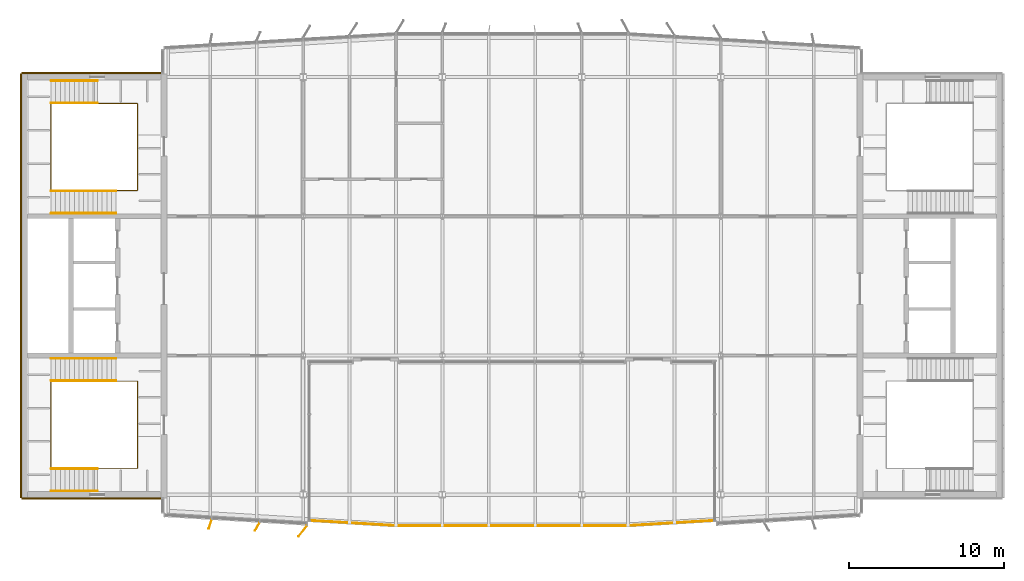
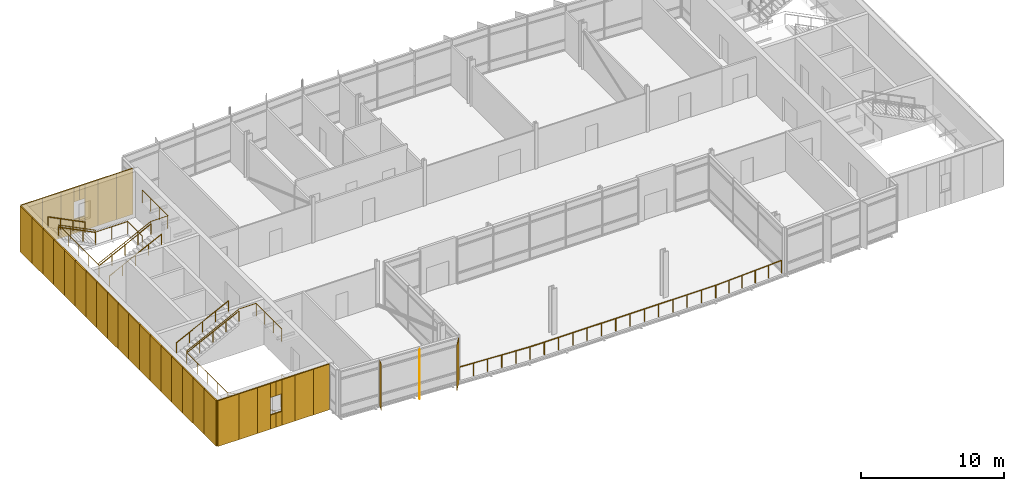
# One storey, part 16 of 19: 38 coverings, 11 railings, 3 shading devices.
"""IFC4 building model written with IfcOpenShell, lengths in metres."""

from ifc_helpers import new_model, si_unit, direction, frame, origin, origin_2d, place, context, subcontext, project, spatial, rectangle, circle, extrude, material, layer, layer_set, type_object, element, save


model = new_model("IFC4")

# Units and contexts
model_context = context("Model", 3, precision=1e-05, world=origin(), true_north=direction((0.0, 1.0)))
body_context = subcontext(model_context, "Body", "Model", "MODEL_VIEW")
ifc_project = project(units=[si_unit("LENGTHUNIT", "METRE"), si_unit("AREAUNIT", "SQUARE_METRE"), si_unit("VOLUMEUNIT", "CUBIC_METRE"), si_unit("PLANEANGLEUNIT", "RADIAN"), si_unit("MASSUNIT", "GRAM", prefix="KILO")], contexts=[model_context])

# Site, building, storey
site_placement = place(None, origin())
site = spatial("IfcSite", under=ifc_project, at=site_placement, CompositionType="ELEMENT")
building_placement = place(site_placement, origin())
building = spatial("IfcBuilding", under=site, at=building_placement, Name="Azimuth Sports and Learning Centre", CompositionType="ELEMENT")
storey_placement = place(building_placement, frame((0.0, 0.0, 67.5)))
storey = spatial("IfcBuildingStorey", under=building, at=storey_placement, Name="L15", CompositionType="ELEMENT", Elevation=67.5)

# Coverings
ifc_material_1 = material(Name="Cladding panel")
ifc_layer_1 = layer(ifc_material_1, 0.10009765625)
ifc_layer_set_1 = layer_set([ifc_layer_1], Name="Cladding panel")
covering_type = type_object("IfcCoveringType", Name="Cladding panel 100", PredefinedType="CLADDING", material=ifc_layer_set_1)
covering_1_placement = place(storey_placement, frame((54.64990234375, 89.75, 0.0), z_axis=(0.0, 0.0, 1.0), x_axis=(1.0, 0.0, 0.0)))
element("IfcCovering", 1, at=covering_1_placement, inside=storey, type_object=covering_type, Name="Cladding panel S-CORE W L15 1", PredefinedType="CLADDING", context=body_context, shape_type="SweptSolid", body=[
    extrude(rectangle(XDim=1.699951171875, YDim=0.10009765625, at=origin_2d()), origin(), (0.0, 0.0, 1.0), 3.89990234375),
])
covering_2_placement = place(storey_placement, frame((56.25, 89.75, 0.0), z_axis=(0.0, 0.0, 1.0), x_axis=(1.0, 0.0, 0.0)))
element("IfcCovering", 2, at=covering_2_placement, inside=storey, type_object=covering_type, Name="Cladding panel S-CORE W L15 2", PredefinedType="CLADDING", context=body_context, shape_type="SweptSolid", body=[
    extrude(rectangle(XDim=1.5, YDim=0.10009765625, at=origin_2d()), origin(), (0.0, 0.0, 1.0), 3.89990234375),
])
covering_3_placement = place(storey_placement, frame((57.52490234375, 89.75, 0.0), z_axis=(0.0, 0.0, 1.0), x_axis=(1.0, 0.0, 0.0)))
element("IfcCovering", 3, at=covering_3_placement, inside=storey, type_object=covering_type, Name="Cladding panel S-CORE W L15 3", PredefinedType="CLADDING", context=body_context, shape_type="SweptSolid", body=[
    extrude(rectangle(XDim=1.050048828125, YDim=0.10009765625, at=origin_2d()), origin(), (0.0, 0.0, 1.0), 3.89990234375),
])
for number, where, z_axis, x_axis, name in (
    (4, (58.27490234375, 89.75, 0.0), (0.0, 0.0, 1.0), (1.0, 0.0, 0.0), "Cladding panel S-CORE W L15 4"),
    (5, (58.27490234375, 89.75, 2.7001953125), (0.0, 0.0, 1.0), (1.0, 0.0, 0.0), "Cladding panel S-CORE W L15 5"),
):
    element("IfcCovering", number, at=place(storey_placement, frame(where, z_axis=z_axis, x_axis=x_axis)), inside=storey, type_object=covering_type, Name=name, PredefinedType="CLADDING", context=body_context, shape_type="SweptSolid", body=[
        extrude(rectangle(XDim=0.449951171875, YDim=0.10009765625, at=origin_2d()), origin(), (0.0, 0.0, 1.0), 1.199951171875),
    ])
covering_4_placement = place(storey_placement, frame((59.47509765625, 89.75, 0.0), z_axis=(0.0, 0.0, 1.0), x_axis=(1.0, 0.0, 0.0)))
element("IfcCovering", 6, at=covering_4_placement, inside=storey, type_object=covering_type, Name="Cladding panel S-CORE W L15 6", PredefinedType="CLADDING", context=body_context, shape_type="SweptSolid", body=[
    extrude(rectangle(XDim=1.050048828125, YDim=0.10009765625, at=origin_2d()), origin(), (0.0, 0.0, 1.0), 3.89990234375),
])
for number, where, z_axis, x_axis, name in (
    (7, (58.72509765625, 89.75, 0.0), (0.0, 0.0, 1.0), (1.0, 0.0, 0.0), "Cladding panel S-CORE W L15 7"),
    (8, (58.72509765625, 89.75, 2.7001953125), (0.0, 0.0, 1.0), (1.0, 0.0, 0.0), "Cladding panel S-CORE W L15 8"),
):
    element("IfcCovering", number, at=place(storey_placement, frame(where, z_axis=z_axis, x_axis=x_axis)), inside=storey, type_object=covering_type, Name=name, PredefinedType="CLADDING", context=body_context, shape_type="SweptSolid", body=[
        extrude(rectangle(XDim=0.449951171875, YDim=0.10009765625, at=origin_2d()), origin(), (0.0, 0.0, 1.0), 1.199951171875),
    ])
covering_5_placement = place(storey_placement, frame((60.75, 89.75, 0.0), z_axis=(0.0, 0.0, 1.0), x_axis=(1.0, 0.0, 0.0)))
element("IfcCovering", 9, at=covering_5_placement, inside=storey, type_object=covering_type, Name="Cladding panel S-CORE W L15 9", PredefinedType="CLADDING", context=body_context, shape_type="SweptSolid", body=[
    extrude(rectangle(XDim=1.5, YDim=0.10009765625, at=origin_2d()), origin(), (0.0, 0.0, 1.0), 3.89990234375),
])
for number, where, z_axis, x_axis, name in (
    (10, (62.159912109375, 89.75, 0.0), (0.0, 0.0, 1.0), (1.0, 0.0, 0.0), "Cladding panel S-CORE W L15 10"),
    (11, (62.159912109375, 117.25, 0.0), (0.0, 0.0, 1.0), (-1.0, 0.0, 0.0), "Cladding panel N-CORE W L15 1"),
):
    element("IfcCovering", number, at=place(storey_placement, frame(where, z_axis=z_axis, x_axis=x_axis)), inside=storey, type_object=covering_type, Name=name, PredefinedType="CLADDING", context=body_context, shape_type="SweptSolid", body=[
        extrude(rectangle(XDim=1.320068359375, YDim=0.10009765625, at=origin_2d()), origin(), (0.0, 0.0, 1.0), 3.89990234375),
    ])
covering_6_placement = place(storey_placement, frame((60.75, 117.25, 0.0), z_axis=(0.0, 0.0, 1.0), x_axis=(-1.0, 0.0, 0.0)))
element("IfcCovering", 12, at=covering_6_placement, inside=storey, type_object=covering_type, Name="Cladding panel N-CORE W L15 2", PredefinedType="CLADDING", context=body_context, shape_type="SweptSolid", body=[
    extrude(rectangle(XDim=1.5, YDim=0.10009765625, at=origin_2d()), origin(), (0.0, 0.0, 1.0), 3.89990234375),
])
covering_7_placement = place(storey_placement, frame((59.47509765625, 117.25, 0.0), z_axis=(0.0, 0.0, 1.0), x_axis=(-1.0, 0.0, 0.0)))
element("IfcCovering", 13, at=covering_7_placement, inside=storey, type_object=covering_type, Name="Cladding panel N-CORE W L15 3", PredefinedType="CLADDING", context=body_context, shape_type="SweptSolid", body=[
    extrude(rectangle(XDim=1.050048828125, YDim=0.10009765625, at=origin_2d()), origin(), (0.0, 0.0, 1.0), 3.89990234375),
])
for number, where, z_axis, x_axis, name in (
    (14, (58.72509765625, 117.25, 0.0), (0.0, 0.0, 1.0), (-1.0, 0.0, 0.0), "Cladding panel N-CORE W L15 4"),
    (15, (58.72509765625, 117.25, 2.7001953125), (0.0, 0.0, 1.0), (-1.0, 0.0, 0.0), "Cladding panel N-CORE W L15 5"),
):
    element("IfcCovering", number, at=place(storey_placement, frame(where, z_axis=z_axis, x_axis=x_axis)), inside=storey, type_object=covering_type, Name=name, PredefinedType="CLADDING", context=body_context, shape_type="SweptSolid", body=[
        extrude(rectangle(XDim=0.449951171875, YDim=0.10009765625, at=origin_2d()), origin(), (0.0, 0.0, 1.0), 1.199951171875),
    ])
covering_8_placement = place(storey_placement, frame((57.52490234375, 117.25, 0.0), z_axis=(0.0, 0.0, 1.0), x_axis=(-1.0, 0.0, 0.0)))
element("IfcCovering", 16, at=covering_8_placement, inside=storey, type_object=covering_type, Name="Cladding panel N-CORE W L15 6", PredefinedType="CLADDING", context=body_context, shape_type="SweptSolid", body=[
    extrude(rectangle(XDim=1.050048828125, YDim=0.10009765625, at=origin_2d()), origin(), (0.0, 0.0, 1.0), 3.89990234375),
])
for number, where, z_axis, x_axis, name in (
    (17, (58.27490234375, 117.25, 0.0), (0.0, 0.0, 1.0), (-1.0, 0.0, 0.0), "Cladding panel N-CORE W L15 7"),
    (18, (58.27490234375, 117.25, 2.7001953125), (0.0, 0.0, 1.0), (-1.0, 0.0, 0.0), "Cladding panel N-CORE W L15 8"),
):
    element("IfcCovering", number, at=place(storey_placement, frame(where, z_axis=z_axis, x_axis=x_axis)), inside=storey, type_object=covering_type, Name=name, PredefinedType="CLADDING", context=body_context, shape_type="SweptSolid", body=[
        extrude(rectangle(XDim=0.449951171875, YDim=0.10009765625, at=origin_2d()), origin(), (0.0, 0.0, 1.0), 1.199951171875),
    ])
covering_9_placement = place(storey_placement, frame((56.25, 117.25, 0.0), z_axis=(0.0, 0.0, 1.0), x_axis=(-1.0, 0.0, 0.0)))
element("IfcCovering", 19, at=covering_9_placement, inside=storey, type_object=covering_type, Name="Cladding panel N-CORE W L15 9", PredefinedType="CLADDING", context=body_context, shape_type="SweptSolid", body=[
    extrude(rectangle(XDim=1.5, YDim=0.10009765625, at=origin_2d()), origin(), (0.0, 0.0, 1.0), 3.89990234375),
])
for number, where, z_axis, x_axis, name in (
    (20, (54.64990234375, 117.25, 0.0), (0.0, 0.0, 1.0), (-1.0, 0.0, 0.0), "Cladding panel N-CORE W L15 10"),
    (21, (53.75, 116.35009765625, 0.0), (0.0, 0.0, 1.0), (0.0, -1.0, 0.0), "Cladding panel W-CORE W L15 1"),
):
    element("IfcCovering", number, at=place(storey_placement, frame(where, z_axis=z_axis, x_axis=x_axis)), inside=storey, type_object=covering_type, Name=name, PredefinedType="CLADDING", context=body_context, shape_type="SweptSolid", body=[
        extrude(rectangle(XDim=1.699951171875, YDim=0.10009765625, at=origin_2d()), origin(), (0.0, 0.0, 1.0), 3.89990234375),
    ])
for number, where, z_axis, x_axis, name in (
    (22, (53.75, 114.75, 0.0), (0.0, 0.0, 1.0), (0.0, -1.0, 0.0), "Cladding panel W-CORE W L15 2"),
    (23, (53.75, 113.25, 0.0), (0.0, 0.0, 1.0), (0.0, -1.0, 0.0), "Cladding panel W-CORE W L15 3"),
    (24, (53.75, 111.75, 0.0), (0.0, 0.0, 1.0), (0.0, -1.0, 0.0), "Cladding panel W-CORE W L15 4"),
    (25, (53.75, 110.25, 0.0), (0.0, 0.0, 1.0), (0.0, -1.0, 0.0), "Cladding panel W-CORE W L15 5"),
    (26, (53.75, 108.75, 0.0), (0.0, 0.0, 1.0), (0.0, -1.0, 0.0), "Cladding panel W-CORE W L15 6"),
    (27, (53.75, 107.25, 0.0), (0.0, 0.0, 1.0), (0.0, -1.0, 0.0), "Cladding panel W-CORE W L15 7"),
    (28, (53.75, 105.75, 0.0), (0.0, 0.0, 1.0), (0.0, -1.0, 0.0), "Cladding panel W-CORE W L15 8"),
    (29, (53.75, 104.25, 0.0), (0.0, 0.0, 1.0), (0.0, -1.0, 0.0), "Cladding panel W-CORE W L15 9"),
    (30, (53.75, 102.75, 0.0), (0.0, 0.0, 1.0), (0.0, -1.0, 0.0), "Cladding panel W-CORE W L15 10"),
    (31, (53.75, 101.25, 0.0), (0.0, 0.0, 1.0), (0.0, -1.0, 0.0), "Cladding panel W-CORE W L15 11"),
    (32, (53.75, 99.75, 0.0), (0.0, 0.0, 1.0), (0.0, -1.0, 0.0), "Cladding panel W-CORE W L15 12"),
    (33, (53.75, 98.25, 0.0), (0.0, 0.0, 1.0), (0.0, -1.0, 0.0), "Cladding panel W-CORE W L15 13"),
    (34, (53.75, 96.75, 0.0), (0.0, 0.0, 1.0), (0.0, -1.0, 0.0), "Cladding panel W-CORE W L15 14"),
    (35, (53.75, 95.25, 0.0), (0.0, 0.0, 1.0), (0.0, -1.0, 0.0), "Cladding panel W-CORE W L15 15"),
    (36, (53.75, 93.75, 0.0), (0.0, 0.0, 1.0), (0.0, -1.0, 0.0), "Cladding panel W-CORE W L15 16"),
    (37, (53.75, 92.25, 0.0), (0.0, 0.0, 1.0), (0.0, -1.0, 0.0), "Cladding panel W-CORE W L15 17"),
):
    element("IfcCovering", number, at=place(storey_placement, frame(where, z_axis=z_axis, x_axis=x_axis)), inside=storey, type_object=covering_type, Name=name, PredefinedType="CLADDING", context=body_context, shape_type="SweptSolid", body=[
        extrude(rectangle(XDim=1.5, YDim=0.10009765625, at=origin_2d()), origin(), (0.0, 0.0, 1.0), 3.89990234375),
    ])
covering_10_placement = place(storey_placement, frame((53.75, 90.64990234375, 0.0), z_axis=(0.0, 0.0, 1.0), x_axis=(0.0, -1.0, 0.0)))
element("IfcCovering", 38, at=covering_10_placement, inside=storey, type_object=covering_type, Name="Cladding panel W-CORE W L15 18", PredefinedType="CLADDING", context=body_context, shape_type="SweptSolid", body=[
    extrude(rectangle(XDim=1.699951171875, YDim=0.10009765625, at=origin_2d()), origin(), (0.0, 0.0, 1.0), 3.89990234375),
])

# Shading devices
ifc_material_2 = material(Name="Aluminium", Category="aluminium")
ifc_layer_2 = layer(ifc_material_2, 0.0400390625)
ifc_layer_set_2 = layer_set([ifc_layer_2], Name="Aluminium")
shading_device_type_1 = type_object("IfcShadingDeviceType", Name="Shading fin 600", PredefinedType="JALOUSIE", material=ifc_layer_set_2)
for number, where, z_axis, x_axis, name in (
    (39, (65.992431640625, 88.08935546875, 0.0), (0.0, 0.0, 1.0), (-0.310280447308, -0.950645067319, 0.0), "Shading fin F15-001"),
    (40, (69.03466796875, 87.92919921875, 0.0), (0.0, 0.0, 1.0), (-0.50282122482, -0.864390430228, 0.0), "Shading fin F15-002"),
):
    element("IfcShadingDevice", number, at=place(storey_placement, frame(where, z_axis=z_axis, x_axis=x_axis)), inside=storey, type_object=shading_device_type_1, Name=name, PredefinedType="JALOUSIE", context=body_context, shape_type="SweptSolid", body=[
        extrude(rectangle(XDim=0.60009765625, YDim=0.0400390625, at=origin_2d()), origin(), (0.0, 0.0, 1.0), 3.89990234375),
    ])
ifc_material_3 = material(Name="Aluminium", Category="aluminium")
ifc_layer_3 = layer(ifc_material_3, 0.0400390625)
ifc_layer_set_3 = layer_set([ifc_layer_3], Name="Aluminium")
shading_device_type_2 = type_object("IfcShadingDeviceType", Name="Shading fin 900", PredefinedType="JALOUSIE", material=ifc_layer_set_3)
shading_device_placement = place(storey_placement, frame((71.9755859375, 87.6484375, 0.0), z_axis=(0.0, 0.0, 1.0), x_axis=(-0.611135436755, -0.791526043755, 0.0)))
element("IfcShadingDevice", 41, at=shading_device_placement, inside=storey, type_object=shading_device_type_2, Name="Shading fin F15-003", PredefinedType="JALOUSIE", context=body_context, shape_type="SweptSolid", body=[
    extrude(rectangle(XDim=0.89990234375, YDim=0.0400390625, at=origin_2d()), origin(), (0.0, 0.0, 1.0), 3.89990234375),
])

# Railings
ifc_material_4 = material(Name="Stainless steel", Category="steel")
railing_type_1 = type_object("IfcRailingType", Name="Stair guard 1100", PredefinedType="GUARDRAIL", material=ifc_material_4)
railing_1_placement = place(storey_placement, frame((61.2900390625, 93.75, 0.0)))
element("IfcRailing", 42, at=railing_1_placement, inside=storey, type_object=railing_type_1, Name="Guard W1 L15 well", PredefinedType="GUARDRAIL", context=body_context, shape_type="SweptSolid", body=[
    extrude(circle(Radius=0.02392578125, at=origin_2d()), frame((0.0, 0.0, 1.076171875), z_axis=(0.0, -1.0, 0.0), x_axis=(1.0, 0.0, 0.0)), (0.0, 0.0, 1.0), 2.0400390625),
    extrude(circle(Radius=0.02392578125, at=origin_2d()), frame((0.0, -2.0400390625, 1.076171875), z_axis=(-1.0, 0.0, 0.0), x_axis=(0.0, -1.0, 0.0)), (0.0, 0.0, 1.0), 2.580078125),
    extrude(circle(Radius=0.02392578125, at=origin_2d()), frame((-2.580078125, -2.0400390625, 1.076171875), z_axis=(0.0, 0.0, 1.0), x_axis=(1.0, 0.0, 0.0)), (0.0, 0.0, 1.0), 0.14990234375),
    extrude(circle(Radius=0.02392578125, at=origin_2d()), frame((-2.580078125, -2.0400390625, 1.22607421875), z_axis=(-0.894427191, 0.0, 0.4472135955), x_axis=(0.0, -1.0, 0.0)), (0.0, 0.0, 1.0), 3.35400390625),
    extrude(circle(Radius=0.02392578125, at=origin_2d()), frame((-5.580078125, -2.0400390625, 2.72607421875), z_axis=(0.0, 1.0, 0.0), x_axis=(-1.0, 0.0, 0.0)), (0.0, 0.0, 1.0), 5.630126953125),
    extrude(circle(Radius=0.02392578125, at=origin_2d()), frame((-5.580078125, 3.590087890625, 2.72607421875), z_axis=(0.0, 0.0, 1.0), x_axis=(1.0, 0.0, 0.0)), (0.0, 0.0, 1.0), 0.150146484375),
    extrude(circle(Radius=0.02392578125, at=origin_2d()), frame((-5.580078125, 3.590087890625, 2.8759765625), z_axis=(0.894437589381, 0.0, 0.447192798132), x_axis=(0.0, 1.0, 0.0)), (0.0, 0.0, 1.0), 4.695556640625),
    extrude(circle(Radius=0.02392578125, at=origin_2d()), frame((-1.380126953125, 3.590087890625, 4.97607421875), z_axis=(1.0, 0.0, 0.0), x_axis=(0.0, 1.0, 0.0)), (0.0, 0.0, 1.0), 1.380126953125),
    extrude(circle(Radius=0.02392578125, at=origin_2d()), frame((0.0, 3.590087890625, 4.97607421875), z_axis=(0.0, -1.0, 0.0), x_axis=(1.0, 0.0, 0.0)), (0.0, 0.0, 1.0), 3.590087890625),
    extrude(circle(Radius=0.01611328125, at=origin_2d()), origin(), (0.0, 0.0, 1.0), 1.052001953125),
    extrude(circle(Radius=0.01611328125, at=origin_2d()), frame((0.0, -1.02001953125, 0.0)), (0.0, 0.0, 1.0), 1.052001953125),
    extrude(circle(Radius=0.01611328125, at=origin_2d()), frame((0.0, -2.0400390625, 0.0)), (0.0, 0.0, 1.0), 1.052001953125),
    extrude(circle(Radius=0.01611328125, at=origin_2d()), frame((-1.2900390625, -2.0400390625, 0.0)), (0.0, 0.0, 1.0), 1.052001953125),
    extrude(circle(Radius=0.01611328125, at=origin_2d()), frame((-2.580078125, -2.0400390625, 0.0)), (0.0, 0.0, 1.0), 1.052001953125),
    extrude(circle(Radius=0.01611328125, at=origin_2d()), frame((-2.580078125, -2.0400390625, 0.14990234375)), (0.0, 0.0, 1.0), 1.052001953125),
    extrude(circle(Radius=0.01611328125, at=origin_2d()), frame((-3.580078125, -2.0400390625, 0.64990234375)), (0.0, 0.0, 1.0), 1.052001953125),
    extrude(circle(Radius=0.01611328125, at=origin_2d()), frame((-4.580078125, -2.0400390625, 1.14990234375)), (0.0, 0.0, 1.0), 1.052001953125),
    extrude(circle(Radius=0.01611328125, at=origin_2d()), frame((-5.580078125, -2.0400390625, 1.64990234375)), (0.0, 0.0, 1.0), 1.052001953125),
    extrude(circle(Radius=0.01611328125, at=origin_2d()), frame((-5.580078125, -0.632568359375, 1.64990234375)), (0.0, 0.0, 1.0), 1.052001953125),
    extrude(circle(Radius=0.01611328125, at=origin_2d()), frame((-5.580078125, 0.77490234375, 1.64990234375)), (0.0, 0.0, 1.0), 1.052001953125),
    extrude(circle(Radius=0.01611328125, at=origin_2d()), frame((-5.580078125, 2.1826171875, 1.64990234375)), (0.0, 0.0, 1.0), 1.052001953125),
    extrude(circle(Radius=0.01611328125, at=origin_2d()), frame((-5.580078125, 3.590087890625, 1.64990234375)), (0.0, 0.0, 1.0), 1.052001953125),
    extrude(circle(Radius=0.01611328125, at=origin_2d()), frame((-5.580078125, 3.590087890625, 1.800048828125)), (0.0, 0.0, 1.0), 1.052001953125),
    extrude(circle(Radius=0.01611328125, at=origin_2d()), frame((-4.530029296875, 3.590087890625, 2.324951171875)), (0.0, 0.0, 1.0), 1.052001953125),
    extrude(circle(Radius=0.01611328125, at=origin_2d()), frame((-3.47998046875, 3.590087890625, 2.85009765625)), (0.0, 0.0, 1.0), 1.052001953125),
    extrude(circle(Radius=0.01611328125, at=origin_2d()), frame((-2.43017578125, 3.590087890625, 3.375)), (0.0, 0.0, 1.0), 1.052001953125),
    extrude(circle(Radius=0.01611328125, at=origin_2d()), frame((-1.380126953125, 3.590087890625, 3.89990234375)), (0.0, 0.0, 1.0), 1.052001953125),
    extrude(circle(Radius=0.01611328125, at=origin_2d()), frame((0.0, 3.590087890625, 3.89990234375)), (0.0, 0.0, 1.0), 1.052001953125),
    extrude(circle(Radius=0.01611328125, at=origin_2d()), frame((0.0, 2.393310546875, 3.89990234375)), (0.0, 0.0, 1.0), 1.052001953125),
    extrude(circle(Radius=0.01611328125, at=origin_2d()), frame((0.0, 1.19677734375, 3.89990234375)), (0.0, 0.0, 1.0), 1.052001953125),
    extrude(circle(Radius=0.01611328125, at=origin_2d()), frame((0.0, 0.0, 3.89990234375)), (0.0, 0.0, 1.0), 1.052001953125),
])
railing_2_placement = place(storey_placement, frame((61.2900390625, 113.25, 0.0)))
element("IfcRailing", 43, at=railing_2_placement, inside=storey, type_object=railing_type_1, Name="Guard W2 L15 well", PredefinedType="GUARDRAIL", context=body_context, shape_type="SweptSolid", body=[
    extrude(circle(Radius=0.02392578125, at=origin_2d()), frame((0.0, 0.0, 1.076171875), z_axis=(0.0, 1.0, 0.0), x_axis=(-1.0, 0.0, 0.0)), (0.0, 0.0, 1.0), 2.0400390625),
    extrude(circle(Radius=0.02392578125, at=origin_2d()), frame((0.0, 2.0400390625, 1.076171875), z_axis=(-1.0, 0.0, 0.0), x_axis=(0.0, -1.0, 0.0)), (0.0, 0.0, 1.0), 2.580078125),
    extrude(circle(Radius=0.02392578125, at=origin_2d()), frame((-2.580078125, 2.0400390625, 1.076171875), z_axis=(0.0, 0.0, 1.0), x_axis=(1.0, 0.0, 0.0)), (0.0, 0.0, 1.0), 0.14990234375),
    extrude(circle(Radius=0.02392578125, at=origin_2d()), frame((-2.580078125, 2.0400390625, 1.22607421875), z_axis=(-0.894427191, 0.0, 0.4472135955), x_axis=(0.0, -1.0, 0.0)), (0.0, 0.0, 1.0), 3.35400390625),
    extrude(circle(Radius=0.02392578125, at=origin_2d()), frame((-5.580078125, 2.0400390625, 2.72607421875), z_axis=(0.0, -1.0, 0.0), x_axis=(1.0, 0.0, 0.0)), (0.0, 0.0, 1.0), 5.630126953125),
    extrude(circle(Radius=0.02392578125, at=origin_2d()), frame((-5.580078125, -3.590087890625, 2.72607421875), z_axis=(0.0, 0.0, 1.0), x_axis=(1.0, 0.0, 0.0)), (0.0, 0.0, 1.0), 0.150146484375),
    extrude(circle(Radius=0.02392578125, at=origin_2d()), frame((-5.580078125, -3.590087890625, 2.8759765625), z_axis=(0.894437589381, 0.0, 0.447192798132), x_axis=(0.0, 1.0, 0.0)), (0.0, 0.0, 1.0), 4.695556640625),
    extrude(circle(Radius=0.02392578125, at=origin_2d()), frame((-1.380126953125, -3.590087890625, 4.97607421875), z_axis=(1.0, 0.0, 0.0), x_axis=(0.0, 1.0, 0.0)), (0.0, 0.0, 1.0), 1.380126953125),
    extrude(circle(Radius=0.02392578125, at=origin_2d()), frame((0.0, -3.590087890625, 4.97607421875), z_axis=(0.0, 1.0, 0.0), x_axis=(-1.0, 0.0, 0.0)), (0.0, 0.0, 1.0), 3.590087890625),
    extrude(circle(Radius=0.01611328125, at=origin_2d()), origin(), (0.0, 0.0, 1.0), 1.052001953125),
    extrude(circle(Radius=0.01611328125, at=origin_2d()), frame((0.0, 1.02001953125, 0.0)), (0.0, 0.0, 1.0), 1.052001953125),
    extrude(circle(Radius=0.01611328125, at=origin_2d()), frame((0.0, 2.0400390625, 0.0)), (0.0, 0.0, 1.0), 1.052001953125),
    extrude(circle(Radius=0.01611328125, at=origin_2d()), frame((-1.2900390625, 2.0400390625, 0.0)), (0.0, 0.0, 1.0), 1.052001953125),
    extrude(circle(Radius=0.01611328125, at=origin_2d()), frame((-2.580078125, 2.0400390625, 0.0)), (0.0, 0.0, 1.0), 1.052001953125),
    extrude(circle(Radius=0.01611328125, at=origin_2d()), frame((-2.580078125, 2.0400390625, 0.14990234375)), (0.0, 0.0, 1.0), 1.052001953125),
    extrude(circle(Radius=0.01611328125, at=origin_2d()), frame((-3.580078125, 2.0400390625, 0.64990234375)), (0.0, 0.0, 1.0), 1.052001953125),
    extrude(circle(Radius=0.01611328125, at=origin_2d()), frame((-4.580078125, 2.0400390625, 1.14990234375)), (0.0, 0.0, 1.0), 1.052001953125),
    extrude(circle(Radius=0.01611328125, at=origin_2d()), frame((-5.580078125, 2.0400390625, 1.64990234375)), (0.0, 0.0, 1.0), 1.052001953125),
    extrude(circle(Radius=0.01611328125, at=origin_2d()), frame((-5.580078125, 0.632568359375, 1.64990234375)), (0.0, 0.0, 1.0), 1.052001953125),
    extrude(circle(Radius=0.01611328125, at=origin_2d()), frame((-5.580078125, -0.77490234375, 1.64990234375)), (0.0, 0.0, 1.0), 1.052001953125),
    extrude(circle(Radius=0.01611328125, at=origin_2d()), frame((-5.580078125, -2.1826171875, 1.64990234375)), (0.0, 0.0, 1.0), 1.052001953125),
    extrude(circle(Radius=0.01611328125, at=origin_2d()), frame((-5.580078125, -3.590087890625, 1.64990234375)), (0.0, 0.0, 1.0), 1.052001953125),
    extrude(circle(Radius=0.01611328125, at=origin_2d()), frame((-5.580078125, -3.590087890625, 1.800048828125)), (0.0, 0.0, 1.0), 1.052001953125),
    extrude(circle(Radius=0.01611328125, at=origin_2d()), frame((-4.530029296875, -3.590087890625, 2.324951171875)), (0.0, 0.0, 1.0), 1.052001953125),
    extrude(circle(Radius=0.01611328125, at=origin_2d()), frame((-3.47998046875, -3.590087890625, 2.85009765625)), (0.0, 0.0, 1.0), 1.052001953125),
    extrude(circle(Radius=0.01611328125, at=origin_2d()), frame((-2.43017578125, -3.590087890625, 3.375)), (0.0, 0.0, 1.0), 1.052001953125),
    extrude(circle(Radius=0.01611328125, at=origin_2d()), frame((-1.380126953125, -3.590087890625, 3.89990234375)), (0.0, 0.0, 1.0), 1.052001953125),
    extrude(circle(Radius=0.01611328125, at=origin_2d()), frame((0.0, -3.590087890625, 3.89990234375)), (0.0, 0.0, 1.0), 1.052001953125),
    extrude(circle(Radius=0.01611328125, at=origin_2d()), frame((0.0, -2.393310546875, 3.89990234375)), (0.0, 0.0, 1.0), 1.052001953125),
    extrude(circle(Radius=0.01611328125, at=origin_2d()), frame((0.0, -1.19677734375, 3.89990234375)), (0.0, 0.0, 1.0), 1.052001953125),
    extrude(circle(Radius=0.01611328125, at=origin_2d()), frame((0.0, 0.0, 3.89990234375)), (0.0, 0.0, 1.0), 1.052001953125),
])
ifc_material_5 = material(Name="Stainless steel", Category="steel")
railing_type_2 = type_object("IfcRailingType", Name="Stair handrail 42", PredefinedType="HANDRAIL", material=ifc_material_5)
for number, where, name in (
    (44, (58.7099609375, 91.679931640625, 0.14990234375), "Handrail W1 L15 flight 1 inner"),
    (45, (58.7099609375, 90.239990234375, 0.14990234375), "Handrail W1 L15 flight 1 outer"),
):
    element("IfcRailing", number, at=place(storey_placement, frame(where)), inside=storey, type_object=railing_type_2, Name=name, PredefinedType="HANDRAIL", context=body_context, shape_type="SweptSolid", body=[
        extrude(circle(Radius=0.02099609375, at=origin_2d()), frame((0.0, 0.0, 0.87890625), z_axis=(-0.894427191, 0.0, 0.4472135955), x_axis=(0.0, -1.0, 0.0)), (0.0, 0.0, 1.0), 3.35400390625),
        extrude(circle(Radius=0.01611328125, at=origin_2d()), origin(), (0.0, 0.0, 1.0), 0.85791015625),
        extrude(circle(Radius=0.01611328125, at=origin_2d()), frame((-1.0, 0.0, 0.5)), (0.0, 0.0, 1.0), 0.85791015625),
        extrude(circle(Radius=0.01611328125, at=origin_2d()), frame((-2.0, 0.0, 1.0)), (0.0, 0.0, 1.0), 0.85791015625),
        extrude(circle(Radius=0.01611328125, at=origin_2d()), frame((-3.0, 0.0, 1.5)), (0.0, 0.0, 1.0), 0.85791015625),
    ])
for number, where, name in (
    (46, (55.7099609375, 97.3701171875, 1.800048828125), "Handrail W1 L15 flight 2 inner"),
    (47, (55.7099609375, 98.81005859375, 1.800048828125), "Handrail W1 L15 flight 2 outer"),
):
    element("IfcRailing", number, at=place(storey_placement, frame(where)), inside=storey, type_object=railing_type_2, Name=name, PredefinedType="HANDRAIL", context=body_context, shape_type="SweptSolid", body=[
        extrude(circle(Radius=0.02099609375, at=origin_2d()), frame((0.0, 0.0, 0.87890625), z_axis=(0.894437589381, 0.0, 0.447192798132), x_axis=(0.0, 1.0, 0.0)), (0.0, 0.0, 1.0), 4.695556640625),
        extrude(circle(Radius=0.01611328125, at=origin_2d()), origin(), (0.0, 0.0, 1.0), 0.85791015625),
        extrude(circle(Radius=0.01611328125, at=origin_2d()), frame((1.050048828125, 0.0, 0.52490234375)), (0.0, 0.0, 1.0), 0.85791015625),
        extrude(circle(Radius=0.01611328125, at=origin_2d()), frame((2.10009765625, 0.0, 1.0498046875)), (0.0, 0.0, 1.0), 0.85791015625),
        extrude(circle(Radius=0.01611328125, at=origin_2d()), frame((3.14990234375, 0.0, 1.574951171875)), (0.0, 0.0, 1.0), 0.85791015625),
        extrude(circle(Radius=0.01611328125, at=origin_2d()), frame((4.199951171875, 0.0, 2.099853515625)), (0.0, 0.0, 1.0), 0.85791015625),
    ])
for number, where, name in (
    (48, (58.7099609375, 115.320068359375, 0.14990234375), "Handrail W2 L15 flight 1 inner"),
    (49, (58.7099609375, 116.760009765625, 0.14990234375), "Handrail W2 L15 flight 1 outer"),
):
    element("IfcRailing", number, at=place(storey_placement, frame(where)), inside=storey, type_object=railing_type_2, Name=name, PredefinedType="HANDRAIL", context=body_context, shape_type="SweptSolid", body=[
        extrude(circle(Radius=0.02099609375, at=origin_2d()), frame((0.0, 0.0, 0.87890625), z_axis=(-0.894427191, 0.0, 0.4472135955), x_axis=(0.0, -1.0, 0.0)), (0.0, 0.0, 1.0), 3.35400390625),
        extrude(circle(Radius=0.01611328125, at=origin_2d()), origin(), (0.0, 0.0, 1.0), 0.85791015625),
        extrude(circle(Radius=0.01611328125, at=origin_2d()), frame((-1.0, 0.0, 0.5)), (0.0, 0.0, 1.0), 0.85791015625),
        extrude(circle(Radius=0.01611328125, at=origin_2d()), frame((-2.0, 0.0, 1.0)), (0.0, 0.0, 1.0), 0.85791015625),
        extrude(circle(Radius=0.01611328125, at=origin_2d()), frame((-3.0, 0.0, 1.5)), (0.0, 0.0, 1.0), 0.85791015625),
    ])
for number, where, name in (
    (50, (55.7099609375, 109.6298828125, 1.800048828125), "Handrail W2 L15 flight 2 inner"),
    (51, (55.7099609375, 108.18994140625, 1.800048828125), "Handrail W2 L15 flight 2 outer"),
):
    element("IfcRailing", number, at=place(storey_placement, frame(where)), inside=storey, type_object=railing_type_2, Name=name, PredefinedType="HANDRAIL", context=body_context, shape_type="SweptSolid", body=[
        extrude(circle(Radius=0.02099609375, at=origin_2d()), frame((0.0, 0.0, 0.87890625), z_axis=(0.894437589381, 0.0, 0.447192798132), x_axis=(0.0, 1.0, 0.0)), (0.0, 0.0, 1.0), 4.695556640625),
        extrude(circle(Radius=0.01611328125, at=origin_2d()), origin(), (0.0, 0.0, 1.0), 0.85791015625),
        extrude(circle(Radius=0.01611328125, at=origin_2d()), frame((1.050048828125, 0.0, 0.52490234375)), (0.0, 0.0, 1.0), 0.85791015625),
        extrude(circle(Radius=0.01611328125, at=origin_2d()), frame((2.10009765625, 0.0, 1.0498046875)), (0.0, 0.0, 1.0), 0.85791015625),
        extrude(circle(Radius=0.01611328125, at=origin_2d()), frame((3.14990234375, 0.0, 1.574951171875)), (0.0, 0.0, 1.0), 0.85791015625),
        extrude(circle(Radius=0.01611328125, at=origin_2d()), frame((4.199951171875, 0.0, 2.099853515625)), (0.0, 0.0, 1.0), 0.85791015625),
    ])
ifc_material_6 = material(Name="Stainless steel", Category="steel")
railing_type_3 = type_object("IfcRailingType", Name="Terrace guard 1100", PredefinedType="GUARDRAIL", material=ifc_material_6)
railing_3_placement = place(storey_placement, frame((72.5, 88.330078125, 0.0)))
element("IfcRailing", 52, at=railing_3_placement, inside=storey, type_object=railing_type_3, Name="Sky court guard", PredefinedType="GUARDRAIL", context=body_context, shape_type="SweptSolid", body=[
    extrude(circle(Radius=0.02490234375, at=origin_2d()), frame((0.0, 0.0, 1.0751953125), z_axis=(0.998205904361, -0.059874639871, 0.0), x_axis=(0.059874639871, 0.998205904361, 0.0)), (0.0, 0.0, 1.0), 5.512939453125),
    extrude(circle(Radius=0.02490234375, at=origin_2d()), frame((5.5029296875, -0.330078125, 1.0751953125), z_axis=(1.0, 0.0, 0.0), x_axis=(0.0, 1.0, 0.0)), (0.0, 0.0, 1.0), 14.994140625),
    extrude(circle(Radius=0.02490234375, at=origin_2d()), frame((20.4970703125, -0.330078125, 1.0751953125), z_axis=(0.998205904361, 0.059874639871, 0.0), x_axis=(-0.059874639871, 0.998205904361, 0.0)), (0.0, 0.0, 1.0), 5.512939453125),
    extrude(circle(Radius=0.02001953125, at=origin_2d()), origin(), (0.0, 0.0, 1.0), 1.050048828125),
    extrude(circle(Radius=0.02001953125, at=origin_2d()), frame((1.1005859375, -0.06591796875, 0.0)), (0.0, 0.0, 1.0), 1.050048828125),
    extrude(circle(Radius=0.02001953125, at=origin_2d()), frame((2.201171875, -0.132080078125, 0.0)), (0.0, 0.0, 1.0), 1.050048828125),
    extrude(circle(Radius=0.02001953125, at=origin_2d()), frame((3.3017578125, -0.197998046875, 0.0)), (0.0, 0.0, 1.0), 1.050048828125),
    extrude(circle(Radius=0.02001953125, at=origin_2d()), frame((4.40234375, -0.26416015625, 0.0)), (0.0, 0.0, 1.0), 1.050048828125),
    extrude(circle(Radius=0.02001953125, at=origin_2d()), frame((5.5029296875, -0.330078125, 0.0)), (0.0, 0.0, 1.0), 1.050048828125),
    extrude(circle(Radius=0.02001953125, at=origin_2d()), frame((6.65625, -0.330078125, 0.0)), (0.0, 0.0, 1.0), 1.050048828125),
    extrude(circle(Radius=0.02001953125, at=origin_2d()), frame((7.809814453125, -0.330078125, 0.0)), (0.0, 0.0, 1.0), 1.050048828125),
    extrude(circle(Radius=0.02001953125, at=origin_2d()), frame((8.963134765625, -0.330078125, 0.0)), (0.0, 0.0, 1.0), 1.050048828125),
    extrude(circle(Radius=0.02001953125, at=origin_2d()), frame((10.116455078125, -0.330078125, 0.0)), (0.0, 0.0, 1.0), 1.050048828125),
    extrude(circle(Radius=0.02001953125, at=origin_2d()), frame((11.27001953125, -0.330078125, 0.0)), (0.0, 0.0, 1.0), 1.050048828125),
    extrude(circle(Radius=0.02001953125, at=origin_2d()), frame((12.42333984375, -0.330078125, 0.0)), (0.0, 0.0, 1.0), 1.050048828125),
    extrude(circle(Radius=0.02001953125, at=origin_2d()), frame((13.57666015625, -0.330078125, 0.0)), (0.0, 0.0, 1.0), 1.050048828125),
    extrude(circle(Radius=0.02001953125, at=origin_2d()), frame((14.72998046875, -0.330078125, 0.0)), (0.0, 0.0, 1.0), 1.050048828125),
    extrude(circle(Radius=0.02001953125, at=origin_2d()), frame((15.883544921875, -0.330078125, 0.0)), (0.0, 0.0, 1.0), 1.050048828125),
    extrude(circle(Radius=0.02001953125, at=origin_2d()), frame((17.036865234375, -0.330078125, 0.0)), (0.0, 0.0, 1.0), 1.050048828125),
    extrude(circle(Radius=0.02001953125, at=origin_2d()), frame((18.190185546875, -0.330078125, 0.0)), (0.0, 0.0, 1.0), 1.050048828125),
    extrude(circle(Radius=0.02001953125, at=origin_2d()), frame((19.34375, -0.330078125, 0.0)), (0.0, 0.0, 1.0), 1.050048828125),
    extrude(circle(Radius=0.02001953125, at=origin_2d()), frame((20.4970703125, -0.330078125, 0.0)), (0.0, 0.0, 1.0), 1.050048828125),
    extrude(circle(Radius=0.02001953125, at=origin_2d()), frame((21.59765625, -0.26416015625, 0.0)), (0.0, 0.0, 1.0), 1.050048828125),
    extrude(circle(Radius=0.02001953125, at=origin_2d()), frame((22.6982421875, -0.197998046875, 0.0)), (0.0, 0.0, 1.0), 1.050048828125),
    extrude(circle(Radius=0.02001953125, at=origin_2d()), frame((23.798828125, -0.132080078125, 0.0)), (0.0, 0.0, 1.0), 1.050048828125),
    extrude(circle(Radius=0.02001953125, at=origin_2d()), frame((24.8994140625, -0.06591796875, 0.0)), (0.0, 0.0, 1.0), 1.050048828125),
    extrude(circle(Radius=0.02001953125, at=origin_2d()), frame((26.0, 0.0, 0.0)), (0.0, 0.0, 1.0), 1.050048828125),
])

save(model, "model.ifc")
